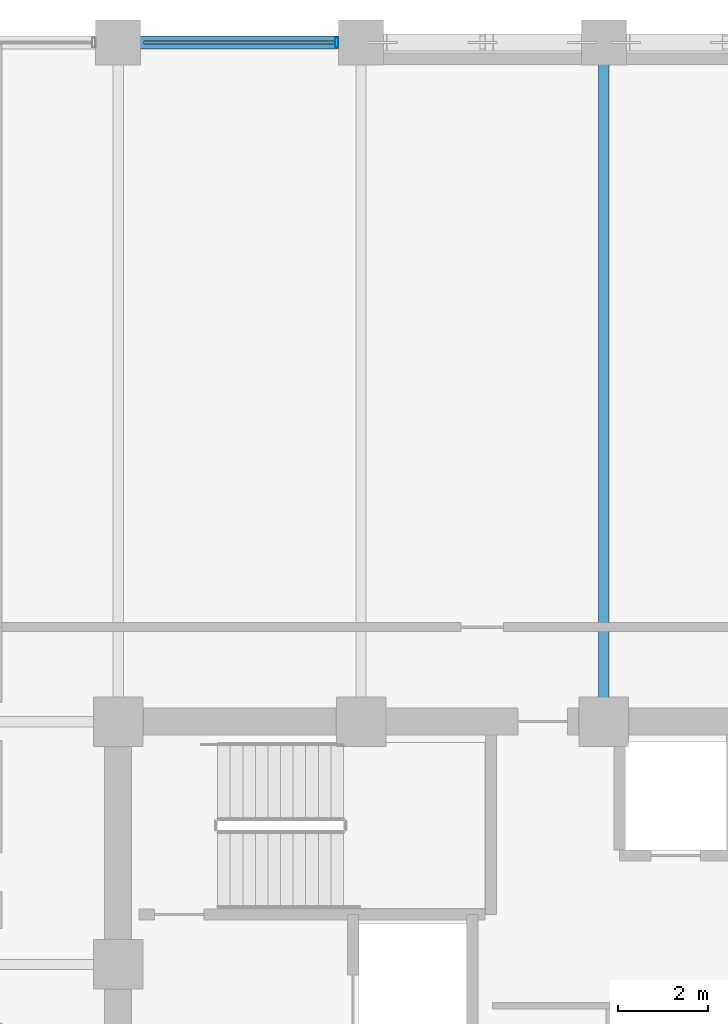
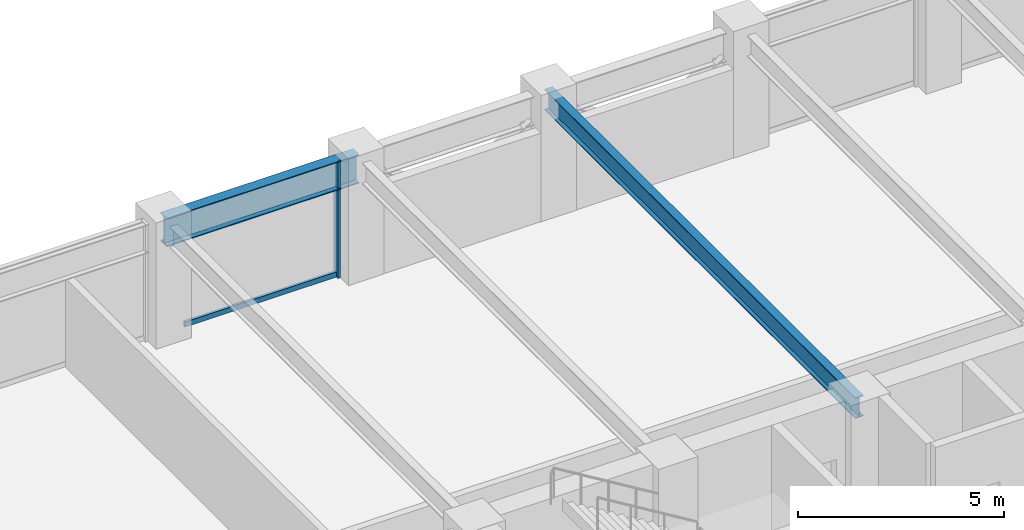
# One storey, part 15 of 29: 2 beams, 2 members, 1 element without a shape of its own.
"""IFC4 building model written with IfcOpenShell, lengths in metres."""

import ifcopenshell
import ifcopenshell.guid

model = None  # the IFC model being written
_history = None  # IfcOwnerHistory: only IFC2X3 demands one
_inside = {}  # id of a spatial element -> (the spatial element, [elements in it])
_under = {}  # id of a project, library or spatial element -> (it, [spatial elements below it])
_declared = {}  # id of a project -> (the project, [libraries it declares])
_typed = {}  # id of a type object -> (the type object, [elements of that type])
_made_of = {}  # id of a material, layer set ... -> (it, [elements and type objects made of it])


def new_model(schema):
    """Start an empty IFC model of exactly this schema.

    Asked for "IFC4X3", IfcOpenShell would pick the latest addendum, in which some entities
    have other attributes; the version numbers below select the first issue.
    IFC2X3 requires an IfcOwnerHistory on every rooted entity: one is made here for all.
    """
    global model, _history
    if schema == "IFC4X3":
        model = ifcopenshell.file(schema_version=(4, 3, 0, 0))
    else:
        model = ifcopenshell.file(schema=schema)
    _inside.clear()
    _under.clear()
    _declared.clear()
    _typed.clear()
    _made_of.clear()
    _history = None
    if model.schema == "IFC2X3":
        org = make("IfcOrganization", Name="unknown")
        user = make(
            "IfcPersonAndOrganization",
            ThePerson=make("IfcPerson", FamilyName="unknown"),
            TheOrganization=org,
        )
        app = make(
            "IfcApplication",
            ApplicationDeveloper=org,
            Version="unknown",
            ApplicationFullName="unknown",
            ApplicationIdentifier="unknown",
        )
        _history = make(
            "IfcOwnerHistory",
            OwningUser=user,
            OwningApplication=app,
            ChangeAction="ADDED",
            CreationDate=0,
        )
    return model


def make(cls, **values):
    """One entity of the class cls with the attributes given. An attribute that is None is left unset."""
    return model.create_entity(
        cls, **{name: value for name, value in values.items() if value is not None}
    )


def rooted(cls, **values):
    """An entity with a GlobalId (a new one), such as an element, a storey or a relation."""
    return make(cls, GlobalId=ifcopenshell.guid.new(), OwnerHistory=_history, **values)


def si_unit(unit_type, name, prefix=None):
    """IfcSIUnit, for example si_unit("LENGTHUNIT", "METRE", prefix="MILLI")."""
    return make("IfcSIUnit", UnitType=unit_type, Prefix=prefix, Name=name)


def assignment(units):
    """IfcUnitAssignment: the units of a project."""
    return None if units is None else make("IfcUnitAssignment", Units=units)


def point(xyz):
    """IfcCartesianPoint."""
    return None if xyz is None else make("IfcCartesianPoint", Coordinates=xyz)


def direction(xyz):
    """IfcDirection."""
    return None if xyz is None else make("IfcDirection", DirectionRatios=xyz)


def frame(location, z_axis=None, x_axis=None):
    """IfcAxis2Placement3D, a coordinate frame: its origin and axes. An axis left out is left unset."""
    return make(
        "IfcAxis2Placement3D",
        Location=point(location),
        Axis=direction(z_axis),
        RefDirection=direction(x_axis),
    )


def frame_2d(location, x_axis=None):
    """IfcAxis2Placement2D, a coordinate frame in the plane: its origin and x axis."""
    return make(
        "IfcAxis2Placement2D", Location=point(location), RefDirection=direction(x_axis)
    )


def origin():
    """The frame at (0, 0, 0) with its axes left unset."""
    return frame((0.0, 0.0, 0.0))


def origin_2d():
    """The frame at (0, 0) in the plane with its x axis left unset."""
    return frame_2d((0.0, 0.0))


def place(relative_to, where):
    """IfcLocalPlacement: puts the frame where relative to a parent placement (None: the world)."""
    return make(
        "IfcLocalPlacement", PlacementRelTo=relative_to, RelativePlacement=where
    )


def context(
    kind, dimensions, precision=None, world=None, true_north=None, identifier=None
):
    """IfcGeometricRepresentationContext, for example the 3D "Model" context."""
    return make(
        "IfcGeometricRepresentationContext",
        ContextIdentifier=identifier,
        ContextType=kind,
        CoordinateSpaceDimension=dimensions,
        Precision=precision,
        WorldCoordinateSystem=world,
        TrueNorth=true_north,
    )


def subcontext(parent, identifier, kind, view, scale=None):
    """IfcGeometricRepresentationSubContext, for example "Body" below "Model"."""
    return make(
        "IfcGeometricRepresentationSubContext",
        ContextIdentifier=identifier,
        ContextType=kind,
        ParentContext=parent,
        TargetScale=scale,
        TargetView=view,
    )


def project(units=None, contexts=None):
    """IfcProject with its units and contexts."""
    return rooted(
        "IfcProject",
        Name="project",
        RepresentationContexts=contexts,
        UnitsInContext=assignment(units),
    )


def spatial(cls, under=None, at=None, **own):
    """A site, building, storey or space (cls), placed at a placement, below another one or the project."""
    s = rooted(cls, ObjectPlacement=at, **own)
    if under is not None:
        _under.setdefault(under.id(), (under, []))[1].append(s)
    return s


def profile(cls, at=None, kind="AREA", **sizes):
    """A parametric profile (cls). Its sizes go by their IFC names, for example OverallWidth=200.0."""
    return make(cls, ProfileType=kind, Position=at, **sizes)


def hollow_rectangle(**sizes):
    """IfcRectangleHollowProfileDef."""
    return profile("IfcRectangleHollowProfileDef", **sizes)


def i_section(**sizes):
    """IfcIShapeProfileDef."""
    return profile("IfcIShapeProfileDef", **sizes)


def extrude(swept, where, along, depth):
    """IfcExtrudedAreaSolid: the profile swept, set in the frame where, extruded along a direction by depth."""
    return make(
        "IfcExtrudedAreaSolid",
        SweptArea=swept,
        Position=where,
        ExtrudedDirection=direction(along),
        Depth=depth,
    )


def shape(context_of_items, identifier, shape_type, items):
    """IfcShapeRepresentation: the items that make up one representation, for example the "Body"."""
    return make(
        "IfcShapeRepresentation",
        ContextOfItems=context_of_items,
        RepresentationIdentifier=identifier,
        RepresentationType=shape_type,
        Items=items,
    )


def material(Name=None, Category=None):
    """IfcMaterial."""
    return make("IfcMaterial", Name=Name, Category=Category)


def layer(
    of_material, thickness, ventilated=None, Name=None, Category=None, Priority=None
):
    """IfcMaterialLayer: one layer of a wall or slab, of a material (None: an air gap)."""
    return make(
        "IfcMaterialLayer",
        Material=of_material,
        LayerThickness=thickness,
        IsVentilated=ventilated,
        Name=Name,
        Category=Category,
        Priority=Priority,
    )


def layer_set(layers, Name=None):
    """IfcMaterialLayerSet."""
    return make("IfcMaterialLayerSet", MaterialLayers=layers, LayerSetName=Name)


def material_profile(
    of_material, cross_section, Name=None, Category=None, Priority=None
):
    """IfcMaterialProfile: a cross section and its material."""
    return make(
        "IfcMaterialProfile",
        Name=Name,
        Material=of_material,
        Profile=cross_section,
        Priority=Priority,
        Category=Category,
    )


def profile_set(profiles, Name=None, composite=None):
    """IfcMaterialProfileSet."""
    return make(
        "IfcMaterialProfileSet",
        Name=Name,
        MaterialProfiles=profiles,
        CompositeProfile=composite,
    )


def made_of(thing, what):
    """Note that an element or type object is made of a material, layer set ...; save() writes the relation."""
    if what is not None:
        _made_of.setdefault(what.id(), (what, []))[1].append(thing)
    return thing


def type_object(cls, material=None, **own):
    """A type object (cls), such as IfcWallType, which elements share."""
    return made_of(rooted(cls, **own), material)


def element(
    cls,
    number,
    at=None,
    inside=None,
    cuts=None,
    type_object=None,
    material=None,
    context=None,
    identifier="Body",
    shape_type=None,
    held_by="IfcProductDefinitionShape",
    body=None,
    shapes=None,
    **own,
):
    """One element of the class cls, such as IfcWall. Its Tag is "e" and its number.

    at: its placement. inside: the storey or other place that contains it. cuts: it is an
    opening in that element (IfcRelVoidsElement). A single representation is given by context,
    identifier, shape_type and body (its items); several are given by shapes. held_by: the class
    of the entity that holds the representations. save() writes the other relations.
    """
    e = rooted(cls, Tag="e%d" % number, ObjectPlacement=at, **own)
    if body is not None:
        shapes = [shape(context, identifier, shape_type, body)]
    if shapes is not None:
        e.Representation = make(held_by, Representations=shapes)
    if inside is not None:
        _inside.setdefault(inside.id(), (inside, []))[1].append(e)
    if cuts is not None:
        rooted(
            "IfcRelVoidsElement", RelatingBuildingElement=cuts, RelatedOpeningElement=e
        )
    if type_object is not None:
        _typed.setdefault(type_object.id(), (type_object, []))[1].append(e)
    return made_of(e, material)


def aggregate(whole, parts):
    """IfcRelAggregates: a whole, such as a stair, and the parts it consists of."""
    return rooted("IfcRelAggregates", RelatingObject=whole, RelatedObjects=parts)


def save(model, path):
    """Write the relations noted so far, then the file.

    IfcRelAggregates (storeys below a building ...), IfcRelContainedInSpatialStructure (elements
    in a storey), IfcRelDefinesByType, IfcRelAssociatesMaterial and IfcRelDeclares: one each for
    every whole, place, type object, material and project.
    """
    for whole, parts in _under.values():
        aggregate(whole, parts)
    for where, things in _inside.values():
        rooted(
            "IfcRelContainedInSpatialStructure",
            RelatedElements=things,
            RelatingStructure=where,
        )
    for kind, things in _typed.values():
        rooted("IfcRelDefinesByType", RelatedObjects=things, RelatingType=kind)
    for what, things in _made_of.values():
        rooted("IfcRelAssociatesMaterial", RelatedObjects=things, RelatingMaterial=what)
    for by, libraries in _declared.values():
        rooted("IfcRelDeclares", RelatingContext=by, RelatedDefinitions=libraries)
    model.write(path)


model = new_model("IFC4")

# Units and contexts
model_context = context("Model", 3, precision=1e-05, world=origin(), true_north=direction((0.0, 1.0)))
body_context = subcontext(model_context, "Body", "Model", "MODEL_VIEW")
ifc_project = project(units=[si_unit("LENGTHUNIT", "METRE"), si_unit("AREAUNIT", "SQUARE_METRE"), si_unit("VOLUMEUNIT", "CUBIC_METRE"), si_unit("PLANEANGLEUNIT", "RADIAN"), si_unit("MASSUNIT", "GRAM", prefix="KILO")], contexts=[model_context])

# Site, building, storey
site_placement = place(None, origin())
site = spatial("IfcSite", under=ifc_project, at=site_placement, CompositionType="ELEMENT")
building_placement = place(site_placement, origin())
building = spatial("IfcBuilding", under=site, at=building_placement, Name="Surkhivell Harbour Commons", CompositionType="ELEMENT")
storey_placement = place(building_placement, frame((0.0, 0.0, 158.25)))
storey = spatial("IfcBuildingStorey", under=building, at=storey_placement, Name="L41", CompositionType="ELEMENT", Elevation=158.25)

# Beams
ifc_material_1 = material(Name="Steel S355", Category="steel")
ifc_material_profile_1 = material_profile(ifc_material_1, i_section(OverallWidth=0.22998046875, OverallDepth=0.616943359375, WebThickness=0.01318359375, FlangeThickness=0.022216796875, at=origin_2d()), Name="UB610x229x140")
ifc_profile_set_1 = profile_set([ifc_material_profile_1], Name="Steel S355")
beam_type_1 = type_object("IfcBeamType", Name="BM-GRD-610B", PredefinedType="BEAM", material=ifc_profile_set_1)
beam_1_placement = place(storey_placement, frame((0.0, 10.800048828125, 3.19140625), z_axis=(0.0, 1.0, 0.0), x_axis=(-1.0, 0.0, 0.0)))
element("IfcBeam", 1, at=beam_1_placement, inside=storey, type_object=beam_type_1, Name="L41 Floor Girder (0.0,10.8)", PredefinedType="BEAM", context=body_context, shape_type="SweptSolid", body=[
    extrude(i_section(OverallWidth=0.22998046875, OverallDepth=0.616943359375, WebThickness=0.01318359375, FlangeThickness=0.022216796875, at=origin_2d()), origin(), (0.0, 0.0, 1.0), 15.099853515625),
])
ifc_material_2 = material(Name="Steel S460", Category="steel")
ifc_material_profile_2 = material_profile(ifc_material_2, i_section(OverallWidth=0.2939453125, OverallDepth=0.85107421875, WebThickness=0.01611328125, FlangeThickness=0.02685546875, at=origin_2d()), Name="UB838x292x226")
ifc_profile_set_2 = profile_set([ifc_material_profile_2], Name="Steel S460")
beam_type_2 = type_object("IfcBeamType", Name="BM-SPN-838", PredefinedType="SPANDREL", material=ifc_profile_set_2)
beam_2_placement = place(storey_placement, frame((-10.800048828125, 25.89990234375, 3.074462890625), z_axis=(1.0, 0.0, 0.0), x_axis=(0.0, 1.0, 0.0)))
element("IfcBeam", 2, at=beam_2_placement, inside=storey, type_object=beam_type_2, Name="L41 Tube Spandrel (-10.8,25.9)", PredefinedType="SPANDREL", context=body_context, shape_type="SweptSolid", body=[
    extrude(i_section(OverallWidth=0.2939453125, OverallDepth=0.85107421875, WebThickness=0.01611328125, FlangeThickness=0.02685546875, at=origin_2d()), origin(), (0.0, 0.0, 1.0), 5.400146484375),
])

# Curtain wall, members
ifc_material_3 = material(Name="Anodised pale-metal aluminium and insulated glazing", Category="aluminium")
ifc_layer = layer(ifc_material_3, 0.205078125)
ifc_layer_set = layer_set([ifc_layer], Name="Anodised pale-metal aluminium and insulated glazing")
curtain_wall_type = type_object("IfcCurtainWallType", Name="CW-SYS-Z2", PredefinedType="NOTDEFINED", material=ifc_layer_set)
curtain_wall_placement = place(storey_placement, origin())
curtain_wall = element("IfcCurtainWall", 3, at=curtain_wall_placement, inside=storey, type_object=curtain_wall_type, Name="L41 Curtain Wall CW-L41-E07S2", PredefinedType="NOTDEFINED")
ifc_material_4 = material(Name="Anodised pale-metal aluminium alloy 6063-T6", Category="aluminium")
ifc_material_profile_3 = material_profile(ifc_material_4, hollow_rectangle(XDim=0.074951171875, YDim=0.219970703125, WallThickness=0.00390625, at=origin_2d()), Name="ALU-MULL-75x220")
ifc_profile_set_3 = profile_set([ifc_material_profile_3], Name="Anodised pale-metal aluminium alloy 6063-T6")
member_type_1 = type_object("IfcMemberType", Name="CWM-220", PredefinedType="MULLION", material=ifc_profile_set_3)
member_1_placement = place(storey_placement, frame((-5.939453125, 25.89990234375, 0.0), z_axis=(0.0, 0.0, 1.0), x_axis=(-1.0, 0.0, 0.0)))
member_1 = element("IfcMember", 4, at=member_1_placement, type_object=member_type_1, Name="CW-Z2 mullion 1", PredefinedType="MULLION", context=body_context, shape_type="SweptSolid", body=[
    extrude(hollow_rectangle(XDim=0.074951171875, YDim=0.219970703125, WallThickness=0.00390625, at=origin_2d()), origin(), (0.0, 0.0, 1.0), 3.5),
])
ifc_material_profile_4 = material_profile(ifc_material_4, hollow_rectangle(XDim=0.074951171875, YDim=0.14990234375, WallThickness=0.00341796875, at=origin_2d()), Name="ALU-TRAN-75x150")
ifc_profile_set_4 = profile_set([ifc_material_profile_4], Name="Anodised pale-metal aluminium alloy 6063-T6")
member_type_2 = type_object("IfcMemberType", Name="CWT-150", PredefinedType="USERDEFINED", material=ifc_profile_set_4)
member_2_placement = place(storey_placement, frame((-5.97705078125, 25.89990234375, 0.074951171875), z_axis=(-1.0, 0.0, 0.0), x_axis=(0.0, -1.0, 0.0)))
member_2 = element("IfcMember", 5, at=member_2_placement, type_object=member_type_2, Name="CW-Z2 transom 1.1", ObjectType="TRANSOM", PredefinedType="USERDEFINED", context=body_context, shape_type="SweptSolid", body=[
    extrude(hollow_rectangle(XDim=0.074951171875, YDim=0.14990234375, WallThickness=0.00341796875, at=origin_2d()), origin(), (0.0, 0.0, 1.0), 4.245849609375),
])
aggregate(curtain_wall, [member_1, member_2])

save(model, "model.ifc")
